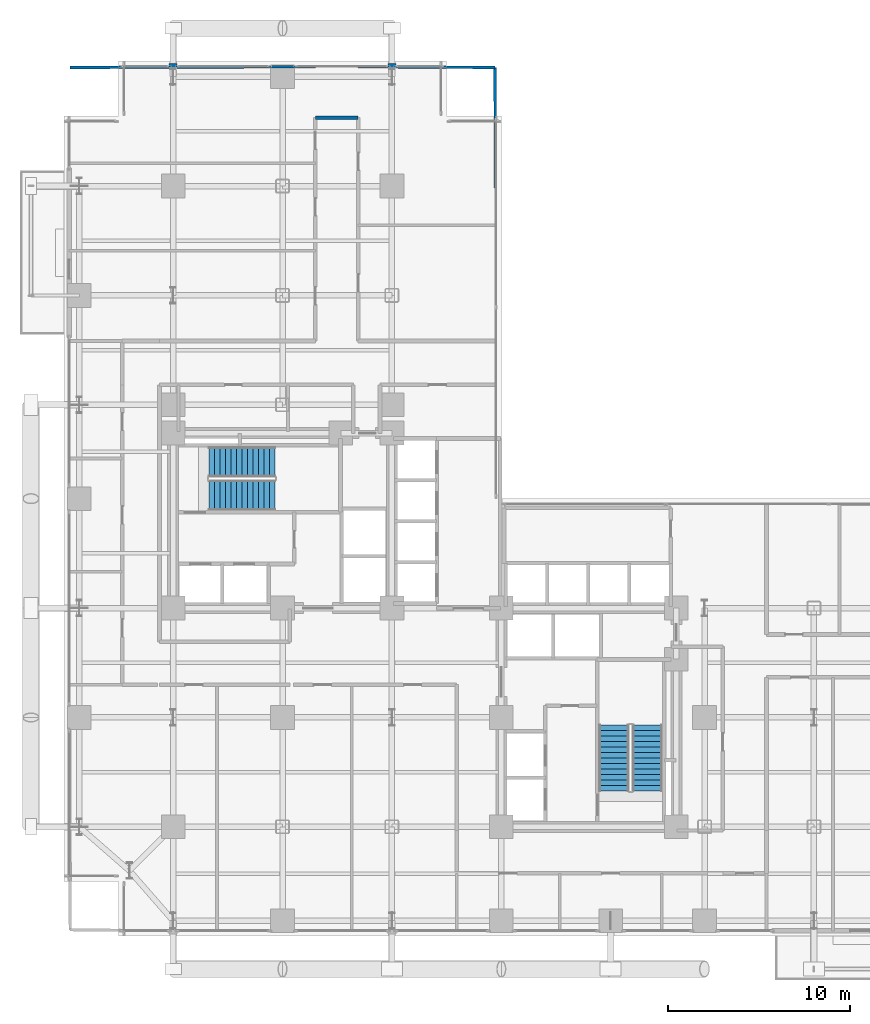
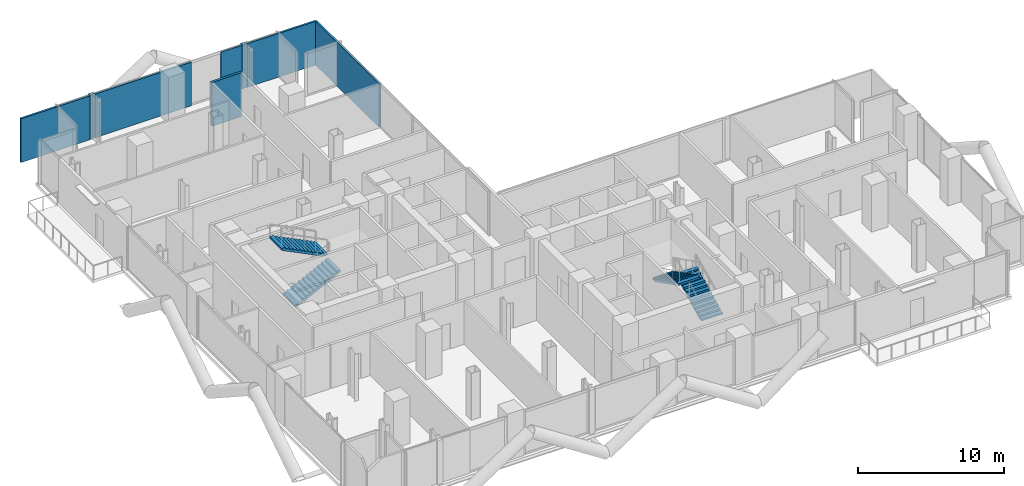
# One storey, part 24 of 27: 8 walls, 4 stair flights, 2 elements without a shape of their own.
"""IFC4 building model written with IfcOpenShell, lengths in metres."""

from ifc_helpers import new_model, si_unit, direction, frame, frame_2d, origin, place, context, subcontext, project, spatial, polyline, rectangle, outline, extrude, material, layer, layer_set, type_object, element, aggregate, save


model = new_model("IFC4")

# Units and contexts
model_context = context("Model", 3, precision=1e-05, world=origin(), true_north=direction((0.0, 1.0)))
body_context = subcontext(model_context, "Body", "Model", "MODEL_VIEW")
ifc_project = project(units=[si_unit("LENGTHUNIT", "METRE"), si_unit("AREAUNIT", "SQUARE_METRE"), si_unit("VOLUMEUNIT", "CUBIC_METRE"), si_unit("PLANEANGLEUNIT", "RADIAN"), si_unit("MASSUNIT", "GRAM", prefix="KILO"), si_unit("THERMODYNAMICTEMPERATUREUNIT", "KELVIN"), si_unit("POWERUNIT", "WATT")], contexts=[model_context])

# Site, building, storey
site_placement = place(None, origin())
site = spatial("IfcSite", under=ifc_project, at=site_placement, CompositionType="ELEMENT")
building_placement = place(site_placement, origin())
building = spatial("IfcBuilding", under=site, at=building_placement, Name="Svarakhadi Broadcast Tower", CompositionType="ELEMENT")
storey_placement = place(building_placement, frame((0.0, 0.0, 55.800048828125)))
storey = spatial("IfcBuildingStorey", under=building, at=storey_placement, Name="L12", CompositionType="ELEMENT", Elevation=55.800048828125)

# Walls
ifc_material_1 = material(Name="Concrete C40/50 (IS 456 M50)", Category="concrete")
ifc_layer_1 = layer(ifc_material_1, 0.239990234375)
ifc_layer_set_1 = layer_set([ifc_layer_1], Name="Concrete C40/50 (IS 456 M50)")
wall_type_1 = type_object("IfcWallType", Name="Wall_Ext_240", PredefinedType="SOLIDWALL", material=ifc_layer_set_1)
for number, where, z_axis, x_axis, name in (
    (1, (5.784912109375, 47.760009765625, 0.0), (0.0, 0.0, 1.0), (1.0, 0.0, 0.0), "L12 Perimeter Bronze Spandrel Closure Wall 01"),
    (2, (17.784912109375, 47.760009765625, 0.0), (0.0, 0.0, 1.0), (1.0, 0.0, 0.0), "L12 Perimeter Bronze Spandrel Closure Wall 02"),
):
    element("IfcWall", number, at=place(storey_placement, frame(where, z_axis=z_axis, x_axis=x_axis)), inside=storey, type_object=wall_type_1, Name=name, PredefinedType="SOLIDWALL", context=body_context, shape_type="SweptSolid", body=[
        extrude(rectangle(XDim=0.43017578125, YDim=0.239990234375, at=frame_2d((0.215087890625, 0.0))), origin(), (0.0, 0.0, 1.0), 3.64990234375),
    ])
ifc_layer_2 = layer(ifc_material_1, 0.199951171875)
ifc_layer_set_2 = layer_set([ifc_layer_2], Name="Concrete C40/50 (IS 456 M50)")
wall_type_2 = type_object("IfcWallType", Name="Wall_Fire_200", PredefinedType="SOLIDWALL", material=ifc_layer_set_2)
wall_1_placement = place(storey_placement, frame((13.800048828125, 44.89990234375, 0.0), z_axis=(0.0, 0.0, 1.0), x_axis=(1.0, 0.0, 0.0)))
element("IfcWall", 3, at=wall_1_placement, inside=storey, type_object=wall_type_2, Name="L12 Broadcast Corridor Wall", PredefinedType="SOLIDWALL", context=body_context, shape_type="SweptSolid", body=[
    extrude(rectangle(XDim=2.349853515625, YDim=0.199951171875, at=frame_2d((1.1748046875, 0.0))), origin(), (0.0, 0.0, 1.0), 3.64990234375),
])
ifc_material_2 = material(Name="Autoclaved Aerated Concrete Blockwork 150 mm", Category="masonry")
ifc_layer_3 = layer(ifc_material_2, 0.14990234375)
ifc_layer_set_3 = layer_set([ifc_layer_3], Name="Autoclaved Aerated Concrete Blockwork 150 mm")
wall_type_3 = type_object("IfcWallType", Name="Wall_Part_150", PredefinedType="PARTITIONING", material=ifc_layer_set_3)
wall_2_placement = place(storey_placement, frame((0.35009765625, 47.64990234375, 0.0), z_axis=(0.0, 0.0, 1.0), x_axis=(0.99999304924, 0.003728467862, 0.0)))
element("IfcWall", 4, at=wall_2_placement, inside=storey, type_object=wall_type_3, Name="L12 Media Reference Study Wall", PredefinedType="PARTITIONING", context=body_context, shape_type="SweptSolid", body=[
    extrude(rectangle(XDim=5.434814453125, YDim=0.14990234375, at=frame_2d((2.71728515625, 0.0))), origin(), (0.0, 0.0, 1.0), 3.64990234375),
])
wall_3_placement = place(storey_placement, frame((6.215087890625, 47.671875, 0.0), z_axis=(0.0, 0.0, 1.0), x_axis=(0.999993149305, 0.003701532515, 0.0)))
element("IfcWall", 5, at=wall_3_placement, inside=storey, type_object=wall_type_3, Name="L12 Media Reference Study Wall", PredefinedType="PARTITIONING", context=body_context, shape_type="SweptSolid", body=[
    extrude(rectangle(XDim=7.5849609375, YDim=0.14990234375, at=frame_2d((3.79248046875, 0.0))), origin(), (0.0, 0.0, 1.0), 3.64990234375),
])
wall_4_placement = place(storey_placement, frame((16.14990234375, 47.699951171875, 0.0), z_axis=(0.0, 0.0, 1.0), x_axis=(0.999978417552, -0.006569964219, 0.0)))
element("IfcWall", 6, at=wall_4_placement, inside=storey, type_object=wall_type_3, Name="L12 Print and Bindery Store Wall", PredefinedType="PARTITIONING", context=body_context, shape_type="SweptSolid", body=[
    extrude(rectangle(XDim=1.635009765625, YDim=0.14990234375, at=frame_2d((0.8173828125, 0.0))), origin(), (0.0, 0.0, 1.0), 3.64990234375),
])
wall_5_placement = place(storey_placement, frame((18.215087890625, 47.686279296875, 0.0), z_axis=(0.0, 0.0, 1.0), x_axis=(0.999977600485, -0.006693170229, 0.0)))
element("IfcWall", 7, at=wall_5_placement, inside=storey, type_object=wall_type_3, Name="L12 Print and Bindery Store Wall", PredefinedType="PARTITIONING", context=body_context, shape_type="SweptSolid", body=[
    extrude(rectangle(XDim=5.434814453125, YDim=0.14990234375, at=frame_2d((2.71728515625, 0.0))), origin(), (0.0, 0.0, 1.0), 3.64990234375),
])
wall_6_placement = place(storey_placement, frame((23.699951171875, 39.0, 0.0), z_axis=(0.0, 0.0, 1.0), x_axis=(-0.005785960162, 0.999983261192, 0.0)))
element("IfcWall", 8, at=wall_6_placement, inside=storey, type_object=wall_type_3, Name="L12 Print and Bindery Store Wall", PredefinedType="PARTITIONING", context=body_context, shape_type="SweptSolid", body=[
    extrude(rectangle(XDim=8.650146484375, YDim=0.14990234375, at=frame_2d((4.3251953125, 0.0))), origin(), (0.0, 0.0, 1.0), 3.64990234375),
])

# Stair, stair flights
stair_type = type_object("IfcStairType", Name="Stair_Exit_Core", PredefinedType="HALF_TURN_STAIR", material=ifc_material_1)
stair_1_placement = place(storey_placement, origin())
stair_1 = element("IfcStair", 9, at=stair_1_placement, inside=storey, type_object=stair_type, Name="L12 West Core Protected Exit Stair ST-01", PredefinedType="HALF_TURN_STAIR")
stair_flight_type = type_object("IfcStairFlightType", Name="Flight_RC_1680", PredefinedType="STRAIGHT", material=ifc_material_1)
stair_flight_1_placement = place(storey_placement, frame((7.97998046875, 24.18994140625, 0.0), z_axis=(0.0, 0.0, 1.0), x_axis=(1.0, 0.0, 0.0)))
stair_flight_1 = element("IfcStairFlight", 10, at=stair_flight_1_placement, type_object=stair_flight_type, Name="ST-01 flight 1", NumberOfRisers=13, NumberOfTreads=12, PredefinedType="STRAIGHT", RiserHeight=0.15, TreadLength=0.3, context=body_context, shape_type="SweptSolid", body=[
    extrude(outline(polyline([(0.0, 0.0), (0.0, 0.14990234375), (0.300048828125, 0.14990234375), (0.300048828125, 0.300048828125), (0.60009765625, 0.300048828125), (0.60009765625, 0.449951171875), (0.89990234375, 0.449951171875), (0.89990234375, 0.60009765625), (1.199951171875, 0.60009765625), (1.199951171875, 0.75), (1.5, 0.75), (1.5, 0.89990234375), (1.800048828125, 0.89990234375), (1.800048828125, 1.050048828125), (2.10009765625, 1.050048828125), (2.10009765625, 1.199951171875), (2.39990234375, 1.199951171875), (2.39990234375, 1.35009765625), (2.699951171875, 1.35009765625), (2.699951171875, 1.5), (3.0, 1.5), (3.0, 1.64990234375), (3.300048828125, 1.64990234375), (3.300048828125, 1.800048828125), (3.60009765625, 1.800048828125), (3.60009765625, 1.949951171875), (3.60009765625, 1.63232421875), (0.335205078125, 0.0), (0.0, 0.0)])), frame((0.0, 0.830078125, 0.0), z_axis=(0.0, -1.0, 0.0), x_axis=(1.0, 0.0, 0.0)), (0.0, 0.0, 1.0), 1.659912109375),
])
stair_flight_2_placement = place(storey_placement, frame((11.580078125, 26.010009765625, 1.949951171875), z_axis=(0.0, 0.0, 1.0), x_axis=(-1.0, 0.0, 0.0)))
stair_flight_2 = element("IfcStairFlight", 11, at=stair_flight_2_placement, type_object=stair_flight_type, Name="ST-01 flight 2", NumberOfRisers=13, NumberOfTreads=12, PredefinedType="STRAIGHT", RiserHeight=0.15, TreadLength=0.3, context=body_context, shape_type="SweptSolid", body=[
    extrude(outline(polyline([(0.0, 0.0), (0.0, 0.14990234375), (0.300048828125, 0.14990234375), (0.300048828125, 0.300048828125), (0.60009765625, 0.300048828125), (0.60009765625, 0.449951171875), (0.89990234375, 0.449951171875), (0.89990234375, 0.60009765625), (1.199951171875, 0.60009765625), (1.199951171875, 0.75), (1.5, 0.75), (1.5, 0.89990234375), (1.800048828125, 0.89990234375), (1.800048828125, 1.050048828125), (2.10009765625, 1.050048828125), (2.10009765625, 1.199951171875), (2.39990234375, 1.199951171875), (2.39990234375, 1.35009765625), (2.699951171875, 1.35009765625), (2.699951171875, 1.5), (3.0, 1.5), (3.0, 1.64990234375), (3.300048828125, 1.64990234375), (3.300048828125, 1.800048828125), (3.60009765625, 1.800048828125), (3.60009765625, 1.949951171875), (3.60009765625, 1.63232421875), (0.335205078125, 0.0), (0.0, 0.0)])), frame((0.0, 0.830078125, 0.0), z_axis=(0.0, -1.0, 0.0), x_axis=(1.0, 0.0, 0.0)), (0.0, 0.0, 1.0), 1.659912109375),
])
aggregate(stair_1, [stair_flight_1, stair_flight_2])

stair_2_placement = place(storey_placement, origin())
stair_2 = element("IfcStair", 12, at=stair_2_placement, inside=storey, type_object=stair_type, Name="L12 East Core Protected Exit Stair ST-02", PredefinedType="HALF_TURN_STAIR")
stair_flight_3_placement = place(storey_placement, frame((32.010009765625, 7.97998046875, 0.0), z_axis=(0.0, 0.0, 1.0), x_axis=(0.0, 1.0, 0.0)))
stair_flight_3 = element("IfcStairFlight", 13, at=stair_flight_3_placement, type_object=stair_flight_type, Name="ST-02 flight 1", NumberOfRisers=13, NumberOfTreads=12, PredefinedType="STRAIGHT", RiserHeight=0.15, TreadLength=0.3, context=body_context, shape_type="SweptSolid", body=[
    extrude(outline(polyline([(0.0, 0.0), (0.0, 0.14990234375), (0.300048828125, 0.14990234375), (0.300048828125, 0.300048828125), (0.60009765625, 0.300048828125), (0.60009765625, 0.449951171875), (0.89990234375, 0.449951171875), (0.89990234375, 0.60009765625), (1.199951171875, 0.60009765625), (1.199951171875, 0.75), (1.5, 0.75), (1.5, 0.89990234375), (1.800048828125, 0.89990234375), (1.800048828125, 1.050048828125), (2.10009765625, 1.050048828125), (2.10009765625, 1.199951171875), (2.39990234375, 1.199951171875), (2.39990234375, 1.35009765625), (2.699951171875, 1.35009765625), (2.699951171875, 1.5), (3.0, 1.5), (3.0, 1.64990234375), (3.300048828125, 1.64990234375), (3.300048828125, 1.800048828125), (3.60009765625, 1.800048828125), (3.60009765625, 1.949951171875), (3.60009765625, 1.63232421875), (0.335205078125, 0.0), (0.0, 0.0)])), frame((0.0, 0.830078125, 0.0), z_axis=(0.0, -1.0, 0.0), x_axis=(1.0, 0.0, 0.0)), (0.0, 0.0, 1.0), 1.659912109375),
])
stair_flight_4_placement = place(storey_placement, frame((30.18994140625, 11.580078125, 1.949951171875), z_axis=(0.0, 0.0, 1.0), x_axis=(0.0, -1.0, 0.0)))
stair_flight_4 = element("IfcStairFlight", 14, at=stair_flight_4_placement, type_object=stair_flight_type, Name="ST-02 flight 2", NumberOfRisers=13, NumberOfTreads=12, PredefinedType="STRAIGHT", RiserHeight=0.15, TreadLength=0.3, context=body_context, shape_type="SweptSolid", body=[
    extrude(outline(polyline([(0.0, 0.0), (0.0, 0.14990234375), (0.300048828125, 0.14990234375), (0.300048828125, 0.300048828125), (0.60009765625, 0.300048828125), (0.60009765625, 0.449951171875), (0.89990234375, 0.449951171875), (0.89990234375, 0.60009765625), (1.199951171875, 0.60009765625), (1.199951171875, 0.75), (1.5, 0.75), (1.5, 0.89990234375), (1.800048828125, 0.89990234375), (1.800048828125, 1.050048828125), (2.10009765625, 1.050048828125), (2.10009765625, 1.199951171875), (2.39990234375, 1.199951171875), (2.39990234375, 1.35009765625), (2.699951171875, 1.35009765625), (2.699951171875, 1.5), (3.0, 1.5), (3.0, 1.64990234375), (3.300048828125, 1.64990234375), (3.300048828125, 1.800048828125), (3.60009765625, 1.800048828125), (3.60009765625, 1.949951171875), (3.60009765625, 1.63232421875), (0.335205078125, 0.0), (0.0, 0.0)])), frame((0.0, 0.830078125, 0.0), z_axis=(0.0, -1.0, 0.0), x_axis=(1.0, 0.0, 0.0)), (0.0, 0.0, 1.0), 1.659912109375),
])
aggregate(stair_2, [stair_flight_3, stair_flight_4])

save(model, "model.ifc")
